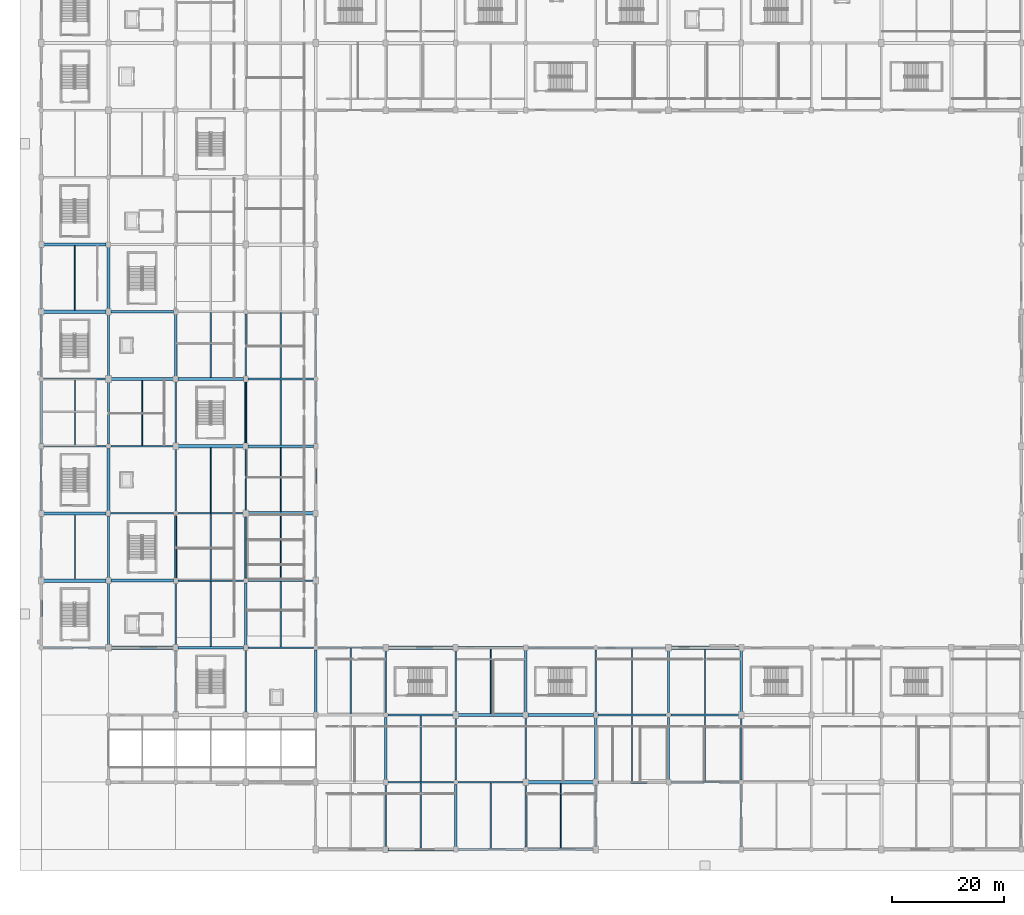
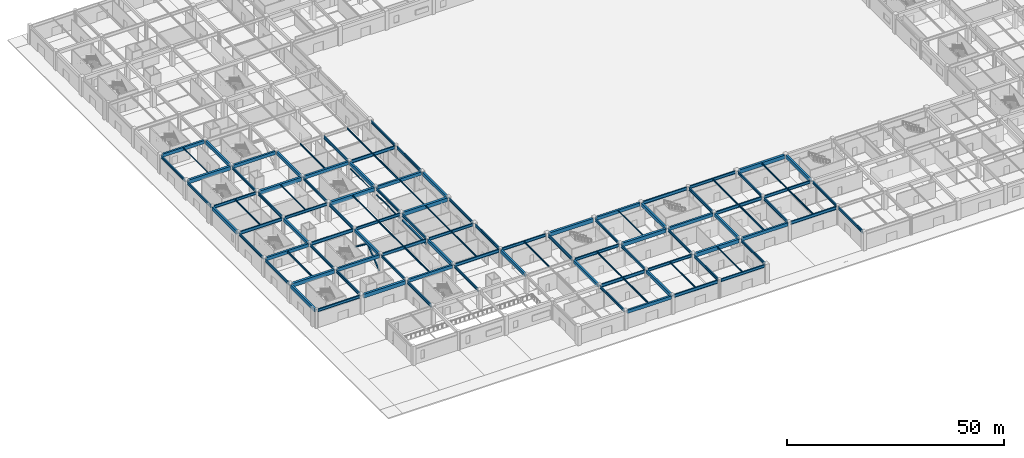
# One storey, part 5 of 69: 115 beams, 2 members.
"""IFC4 building model written with IfcOpenShell, lengths in metres."""

from ifc_helpers import new_model, si_unit, direction, frame, origin, origin_2d, place, context, subcontext, project, spatial, rectangle, i_section, extrude, material, material_profile, profile_set, type_object, element, save


model = new_model("IFC4")

# Units and contexts
model_context = context("Model", 3, precision=1e-05, world=origin(), true_north=direction((0.0, 1.0)))
body_context = subcontext(model_context, "Body", "Model", "MODEL_VIEW")
ifc_project = project(units=[si_unit("LENGTHUNIT", "METRE"), si_unit("AREAUNIT", "SQUARE_METRE"), si_unit("VOLUMEUNIT", "CUBIC_METRE"), si_unit("PLANEANGLEUNIT", "RADIAN"), si_unit("MASSUNIT", "GRAM", prefix="KILO")], contexts=[model_context])

# Site, building, storey
site_placement = place(None, origin())
site = spatial("IfcSite", under=ifc_project, at=site_placement, CompositionType="ELEMENT")
building_placement = place(site_placement, origin())
building = spatial("IfcBuilding", under=site, at=building_placement, Name="Kazenohara Klinker Stadium", CompositionType="ELEMENT")
storey_placement = place(building_placement, origin())
storey = spatial("IfcBuildingStorey", under=building, at=storey_placement, Name="L00", CompositionType="ELEMENT", Elevation=0.0)

# Beams
ifc_material_1 = material(Name="Steel S355", Category="steel")
ifc_material_profile_1 = material_profile(ifc_material_1, i_section(OverallWidth=0.199951171875, OverallDepth=0.5, WebThickness=0.010009765625, FlangeThickness=0.01611328125, FilletRadius=0.012939453125, at=origin_2d()), Name="H-500x200x10x16")
ifc_profile_set_1 = profile_set([ifc_material_profile_1], Name="Steel S355")
beam_type_1 = type_object("IfcBeamType", Name="BM-JST01", PredefinedType="JOIST", material=ifc_profile_set_1)
beam_1_placement = place(storey_placement, frame((6.0, 48.300048828125, 4.889892578125), z_axis=(0.0, 1.0, 0.0), x_axis=(-1.0, 0.0, 0.0)))
element("IfcBeam", 1, at=beam_1_placement, inside=storey, type_object=beam_type_1, Name="Secondary floor joist SJ01 L00 1/E", PredefinedType="JOIST", context=body_context, shape_type="SweptSolid", body=[
    extrude(i_section(OverallWidth=0.199951171875, OverallDepth=0.5, WebThickness=0.010009765625, FlangeThickness=0.01611328125, FilletRadius=0.012939453125, at=origin_2d()), origin(), (0.0, 0.0, 1.0), 11.449951171875),
])
for number, where, z_axis, x_axis, name in (
    (2, (30.25, 84.25, 4.889892578125), (0.0, 1.0, 0.0), (-1.0, 0.0, 0.0), "Secondary floor joist SJ01 L00 3/H"),
    (3, (42.75, 72.25, 4.889892578125), (0.0, 1.0, 0.0), (-1.0, 0.0, 0.0), "Secondary floor joist SJ01 L00 4/G"),
    (4, (105.5, 12.25, 4.889892578125), (0.0, 1.0, 0.0), (-1.0, 0.0, 0.0), "Secondary floor joist SJ01 L00 9/B"),
):
    element("IfcBeam", number, at=place(storey_placement, frame(where, z_axis=z_axis, x_axis=x_axis)), inside=storey, type_object=beam_type_1, Name=name, PredefinedType="JOIST", context=body_context, shape_type="SweptSolid", body=[
        extrude(i_section(OverallWidth=0.199951171875, OverallDepth=0.5, WebThickness=0.010009765625, FlangeThickness=0.01611328125, FilletRadius=0.012939453125, at=origin_2d()), origin(), (0.0, 0.0, 1.0), 11.60009765625),
    ])
ifc_material_profile_2 = material_profile(ifc_material_1, i_section(OverallWidth=0.199951171875, OverallDepth=0.449951171875, WebThickness=0.009033203125, FlangeThickness=0.013916015625, FilletRadius=0.012939453125, at=origin_2d()), Name="H-450x200x9x14")
ifc_profile_set_2 = profile_set([ifc_material_profile_2], Name="Steel S355")
beam_type_2 = type_object("IfcBeamType", Name="BM-JST02", PredefinedType="JOIST", material=ifc_profile_set_2)
beam_2_placement = place(storey_placement, frame((30.25, 36.25, 4.9150390625), z_axis=(0.0, 1.0, 0.0), x_axis=(-1.0, 0.0, 0.0)))
element("IfcBeam", 5, at=beam_2_placement, inside=storey, type_object=beam_type_2, Name="Secondary floor joist SJ02 L00 3/D", PredefinedType="JOIST", context=body_context, shape_type="SweptSolid", body=[
    extrude(i_section(OverallWidth=0.199951171875, OverallDepth=0.449951171875, WebThickness=0.009033203125, FlangeThickness=0.013916015625, FilletRadius=0.012939453125, at=origin_2d()), origin(), (0.0, 0.0, 1.0), 11.60009765625),
])
beam_3_placement = place(storey_placement, frame((42.75, 84.14990234375, 4.9150390625), z_axis=(0.0, 1.0, 0.0), x_axis=(-1.0, 0.0, 0.0)))
element("IfcBeam", 6, at=beam_3_placement, inside=storey, type_object=beam_type_2, Name="Secondary floor joist SJ02 L00 4/H", PredefinedType="JOIST", context=body_context, shape_type="SweptSolid", body=[
    extrude(i_section(OverallWidth=0.199951171875, OverallDepth=0.449951171875, WebThickness=0.009033203125, FlangeThickness=0.013916015625, FilletRadius=0.012939453125, at=origin_2d()), origin(), (0.0, 0.0, 1.0), 11.7001953125),
])
beam_4_placement = place(storey_placement, frame((67.75, 0.25, 4.9150390625), z_axis=(0.0, 1.0, 0.0), x_axis=(-1.0, 0.0, 0.0)))
element("IfcBeam", 7, at=beam_4_placement, inside=storey, type_object=beam_type_2, Name="Secondary floor joist SJ02 L00 6/A", PredefinedType="JOIST", context=body_context, shape_type="SweptSolid", body=[
    extrude(i_section(OverallWidth=0.199951171875, OverallDepth=0.449951171875, WebThickness=0.009033203125, FlangeThickness=0.013916015625, FilletRadius=0.012939453125, at=origin_2d()), origin(), (0.0, 0.0, 1.0), 11.60009765625),
])
for number, where, z_axis, x_axis, name in (
    (8, (105.5, 24.14990234375, 4.9150390625), (0.0, 1.0, 0.0), (-1.0, 0.0, 0.0), "Secondary floor joist SJ02 L00 9/C"),
    (9, (118.5, 12.14990234375, 4.9150390625), (0.0, 1.0, 0.0), (-1.0, 0.0, 0.0), "Secondary floor joist SJ02 L00 10/B"),
):
    element("IfcBeam", number, at=place(storey_placement, frame(where, z_axis=z_axis, x_axis=x_axis)), inside=storey, type_object=beam_type_2, Name=name, PredefinedType="JOIST", context=body_context, shape_type="SweptSolid", body=[
        extrude(i_section(OverallWidth=0.199951171875, OverallDepth=0.449951171875, WebThickness=0.009033203125, FlangeThickness=0.013916015625, FilletRadius=0.012939453125, at=origin_2d()), origin(), (0.0, 0.0, 1.0), 11.7001953125),
    ])
ifc_material_profile_3 = material_profile(ifc_material_1, i_section(OverallWidth=0.199951171875, OverallDepth=0.39990234375, WebThickness=0.008056640625, FlangeThickness=0.012939453125, FilletRadius=0.012939453125, at=origin_2d()), Name="H-400x200x8x13")
ifc_profile_set_3 = profile_set([ifc_material_profile_3], Name="Steel S355")
beam_type_3 = type_object("IfcBeamType", Name="BM-JST03", PredefinedType="JOIST", material=ifc_profile_set_3)
for number, where, z_axis, x_axis, name in (
    (10, (6.0, 72.14990234375, 4.93994140625), (0.0, 1.0, 0.0), (-1.0, 0.0, 0.0), "Secondary floor joist SJ03 L00 1/G"),
    (11, (30.25, 48.14990234375, 4.93994140625), (0.0, 1.0, 0.0), (-1.0, 0.0, 0.0), "Secondary floor joist SJ03 L00 3/E"),
    (12, (42.75, 36.14990234375, 4.93994140625), (0.0, 1.0, 0.0), (-1.0, 0.0, 0.0), "Secondary floor joist SJ03 L00 4/D"),
    (13, (55.25, 24.14990234375, 4.93994140625), (0.0, 1.0, 0.0), (-1.0, 0.0, 0.0), "Secondary floor joist SJ03 L00 5/C"),
    (14, (67.75, 12.14990234375, 4.93994140625), (0.0, 1.0, 0.0), (-1.0, 0.0, 0.0), "Secondary floor joist SJ03 L00 6/B"),
    (15, (80.25, 0.14990234375, 4.93994140625), (0.0, 1.0, 0.0), (-1.0, 0.0, 0.0), "Secondary floor joist SJ03 L00 7/A"),
):
    element("IfcBeam", number, at=place(storey_placement, frame(where, z_axis=z_axis, x_axis=x_axis)), inside=storey, type_object=beam_type_3, Name=name, PredefinedType="JOIST", context=body_context, shape_type="SweptSolid", body=[
        extrude(i_section(OverallWidth=0.199951171875, OverallDepth=0.39990234375, WebThickness=0.008056640625, FlangeThickness=0.012939453125, FilletRadius=0.012939453125, at=origin_2d()), origin(), (0.0, 0.0, 1.0), 11.7001953125),
    ])
beam_5_placement = place(storey_placement, frame((118.5, 24.14990234375, 4.93994140625), z_axis=(0.0, 1.0, 0.0), x_axis=(-1.0, 0.0, 0.0)))
element("IfcBeam", 16, at=beam_5_placement, inside=storey, type_object=beam_type_3, Name="Secondary floor joist SJ03 L00 10/C", PredefinedType="JOIST", context=body_context, shape_type="SweptSolid", body=[
    extrude(i_section(OverallWidth=0.199951171875, OverallDepth=0.39990234375, WebThickness=0.008056640625, FlangeThickness=0.012939453125, FilletRadius=0.012939453125, at=origin_2d()), origin(), (0.0, 0.0, 1.0), 11.550048828125),
])
ifc_material_profile_4 = material_profile(ifc_material_1, i_section(OverallWidth=0.175048828125, OverallDepth=0.35009765625, WebThickness=0.007080078125, FlangeThickness=0.010986328125, FilletRadius=0.012939453125, at=origin_2d()), Name="H-350x175x7x11")
ifc_profile_set_4 = profile_set([ifc_material_profile_4], Name="Steel S355")
beam_type_4 = type_object("IfcBeamType", Name="BM-JST04", PredefinedType="JOIST", material=ifc_profile_set_4)
for number, where, z_axis, x_axis, name in (
    (17, (18.0, 72.14990234375, 4.965087890625), (0.0, 1.0, 0.0), (-1.0, 0.0, 0.0), "Secondary floor joist SJ04 L00 2/G"),
    (18, (30.25, 60.14990234375, 4.965087890625), (0.0, 1.0, 0.0), (-1.0, 0.0, 0.0), "Secondary floor joist SJ04 L00 3/F"),
    (19, (42.75, 48.14990234375, 4.965087890625), (0.0, 1.0, 0.0), (-1.0, 0.0, 0.0), "Secondary floor joist SJ04 L00 4/E"),
    (20, (92.75, 0.14990234375, 4.965087890625), (0.0, 1.0, 0.0), (-1.0, 0.0, 0.0), "Secondary floor joist SJ04 L00 8/A"),
):
    element("IfcBeam", number, at=place(storey_placement, frame(where, z_axis=z_axis, x_axis=x_axis)), inside=storey, type_object=beam_type_4, Name=name, PredefinedType="JOIST", context=body_context, shape_type="SweptSolid", body=[
        extrude(i_section(OverallWidth=0.175048828125, OverallDepth=0.35009765625, WebThickness=0.007080078125, FlangeThickness=0.010986328125, FilletRadius=0.012939453125, at=origin_2d()), origin(), (0.0, 0.0, 1.0), 11.550048828125),
    ])
ifc_material_profile_5 = material_profile(ifc_material_1, i_section(OverallWidth=0.14990234375, OverallDepth=0.300048828125, WebThickness=0.006591796875, FlangeThickness=0.009033203125, FilletRadius=0.012939453125, at=origin_2d()), Name="H-300x150x6.5x9")
ifc_profile_set_5 = profile_set([ifc_material_profile_5], Name="Steel S355")
beam_type_5 = type_object("IfcBeamType", Name="BM-JST05", PredefinedType="JOIST", material=ifc_profile_set_5)
for number, where, z_axis, x_axis, name in (
    (21, (6.0, 96.300048828125, 4.989990234375), (0.0, 1.0, 0.0), (-1.0, 0.0, 0.0), "Secondary floor joist SJ05 L00 1/J"),
    (22, (42.75, 60.300048828125, 4.989990234375), (0.0, 1.0, 0.0), (-1.0, 0.0, 0.0), "Secondary floor joist SJ05 L00 4/F"),
    (23, (80.25, 24.300048828125, 4.989990234375), (0.0, 1.0, 0.0), (-1.0, 0.0, 0.0), "Secondary floor joist SJ05 L00 7/C"),
):
    element("IfcBeam", number, at=place(storey_placement, frame(where, z_axis=z_axis, x_axis=x_axis)), inside=storey, type_object=beam_type_5, Name=name, PredefinedType="JOIST", context=body_context, shape_type="SweptSolid", body=[
        extrude(i_section(OverallWidth=0.14990234375, OverallDepth=0.300048828125, WebThickness=0.006591796875, FlangeThickness=0.009033203125, FilletRadius=0.012939453125, at=origin_2d()), origin(), (0.0, 0.0, 1.0), 11.449951171875),
    ])
ifc_material_2 = material(Name="Concrete C40/50", Category="concrete")
ifc_material_profile_6 = material_profile(ifc_material_2, rectangle(XDim=0.35009765625, YDim=0.449951171875, at=origin_2d()), Name="RC-LINTEL-350x450")
ifc_profile_set_6 = profile_set([ifc_material_profile_6], Name="Concrete C40/50")
beam_type_6 = type_object("IfcBeamType", Name="BM-LIN01", PredefinedType="LINTEL", material=ifc_profile_set_6)
beam_6_placement = place(storey_placement, frame((36.5, 48.425048828125, 3.27490234375), z_axis=(0.0, 1.0, 0.0), x_axis=(-1.0, 0.0, 0.0)))
element("IfcBeam", 24, at=beam_6_placement, inside=storey, type_object=beam_type_6, Name="Concourse portal lintel LN01 L00-01", PredefinedType="LINTEL", context=body_context, shape_type="SweptSolid", body=[
    extrude(rectangle(XDim=0.35009765625, YDim=0.449951171875, at=origin_2d()), origin(), (0.0, 0.0, 1.0), 10.974853515625),
])
ifc_material_profile_7 = material_profile(ifc_material_1, i_section(OverallWidth=0.125, OverallDepth=0.25, WebThickness=0.006103515625, FlangeThickness=0.009033203125, FilletRadius=0.008056640625, at=origin_2d()), Name="H-250x125x6x9")
ifc_profile_set_7 = profile_set([ifc_material_profile_7], Name="Steel S355")
beam_type_7 = type_object("IfcBeamType", Name="BM-LIN02", PredefinedType="LINTEL", material=ifc_profile_set_7)
beam_7_placement = place(storey_placement, frame((36.5, 60.60009765625, 3.175048828125), z_axis=(0.0, 1.0, 0.0), x_axis=(-1.0, 0.0, 0.0)))
element("IfcBeam", 25, at=beam_7_placement, inside=storey, type_object=beam_type_7, Name="Concourse portal lintel LN02 L00-02", PredefinedType="LINTEL", context=body_context, shape_type="SweptSolid", body=[
    extrude(i_section(OverallWidth=0.125, OverallDepth=0.25, WebThickness=0.006103515625, FlangeThickness=0.009033203125, FilletRadius=0.008056640625, at=origin_2d()), origin(), (0.0, 0.0, 1.0), 10.849853515625),
])
ifc_material_profile_8 = material_profile(ifc_material_1, i_section(OverallWidth=0.10009765625, OverallDepth=0.199951171875, WebThickness=0.005615234375, FlangeThickness=0.008056640625, FilletRadius=0.008056640625, at=origin_2d()), Name="H-200x100x5.5x8")
ifc_profile_set_8 = profile_set([ifc_material_profile_8], Name="Steel S355")
beam_type_8 = type_object("IfcBeamType", Name="BM-LIN03", PredefinedType="LINTEL", material=ifc_profile_set_8)
beam_8_placement = place(storey_placement, frame((36.5, 72.550048828125, 3.14990234375), z_axis=(0.0, 1.0, 0.0), x_axis=(-1.0, 0.0, 0.0)))
element("IfcBeam", 26, at=beam_8_placement, inside=storey, type_object=beam_type_8, Name="Concourse portal lintel LN03 L00-03", PredefinedType="LINTEL", context=body_context, shape_type="SweptSolid", body=[
    extrude(i_section(OverallWidth=0.10009765625, OverallDepth=0.199951171875, WebThickness=0.005615234375, FlangeThickness=0.008056640625, FilletRadius=0.008056640625, at=origin_2d()), origin(), (0.0, 0.0, 1.0), 10.949951171875),
])
ifc_material_profile_9 = material_profile(ifc_material_2, rectangle(XDim=0.60009765625, YDim=1.050048828125, at=origin_2d()), Name="RC-BM-600x1050")
ifc_profile_set_9 = profile_set([ifc_material_profile_9], Name="Concrete C40/50")
beam_type_9 = type_object("IfcBeamType", Name="BM-RC01", PredefinedType="BEAM", material=ifc_profile_set_9)
for number, where, z_axis, x_axis, name in (
    (27, (0.419921875, 48.0, 4.614990234375), (1.0, 0.0, 0.0), (0.0, 1.0, 0.0), "Primary girder BG01 L00 1-2/E"),
    (28, (0.419921875, 96.0, 4.614990234375), (1.0, 0.0, 0.0), (0.0, 1.0, 0.0), "Primary girder BG01 L00 1-2/J"),
    (29, (12.419921875, 36.0, 4.614990234375), (1.0, 0.0, 0.0), (0.0, 1.0, 0.0), "Primary girder BG01 L00 2-3/D"),
    (30, (12.419921875, 84.0, 4.614990234375), (1.0, 0.0, 0.0), (0.0, 1.0, 0.0), "Primary girder BG01 L00 2-3/H"),
):
    element("IfcBeam", number, at=place(storey_placement, frame(where, z_axis=z_axis, x_axis=x_axis)), inside=storey, type_object=beam_type_9, Name=name, PredefinedType="BEAM", context=body_context, shape_type="SweptSolid", body=[
        extrude(rectangle(XDim=0.60009765625, YDim=1.050048828125, at=origin_2d()), origin(), (0.0, 0.0, 1.0), 11.16015625),
    ])
for number, where, z_axis, x_axis, name in (
    (31, (24.419921875, 72.0, 4.614990234375), (1.0, 0.0, 0.0), (0.0, 1.0, 0.0), "Primary girder BG01 L00 3-4/G"),
    (32, (36.919921875, 60.0, 4.614990234375), (1.0, 0.0, 0.0), (0.0, 1.0, 0.0), "Primary girder BG01 L00 4-5/F"),
    (33, (61.919921875, 36.0, 4.614990234375), (1.0, 0.0, 0.0), (0.0, 1.0, 0.0), "Primary girder BG01 L00 6-7/D"),
    (34, (74.419921875, 24.0, 4.614990234375), (1.0, 0.0, 0.0), (0.0, 1.0, 0.0), "Primary girder BG01 L00 7-8/C"),
    (35, (86.919921875, 12.0, 4.614990234375), (1.0, 0.0, 0.0), (0.0, 1.0, 0.0), "Primary girder BG01 L00 8-9/B"),
):
    element("IfcBeam", number, at=place(storey_placement, frame(where, z_axis=z_axis, x_axis=x_axis)), inside=storey, type_object=beam_type_9, Name=name, PredefinedType="BEAM", context=body_context, shape_type="SweptSolid", body=[
        extrude(rectangle(XDim=0.60009765625, YDim=1.050048828125, at=origin_2d()), origin(), (0.0, 0.0, 1.0), 11.66015625),
    ])
beam_9_placement = place(storey_placement, frame((112.419921875, 36.0, 4.614990234375), z_axis=(1.0, 0.0, 0.0), x_axis=(0.0, 1.0, 0.0)))
element("IfcBeam", 36, at=beam_9_placement, inside=storey, type_object=beam_type_9, Name="Primary girder BG01 L00 10-11/D", PredefinedType="BEAM", context=body_context, shape_type="SweptSolid", body=[
    extrude(rectangle(XDim=0.60009765625, YDim=1.050048828125, at=origin_2d()), origin(), (0.0, 0.0, 1.0), 12.16015625),
])
ifc_material_profile_10 = material_profile(ifc_material_2, rectangle(XDim=0.5, YDim=0.89990234375, at=origin_2d()), Name="RC-BM-500x900")
ifc_profile_set_10 = profile_set([ifc_material_profile_10], Name="Concrete C40/50")
beam_type_10 = type_object("IfcBeamType", Name="BM-RC02", PredefinedType="BEAM", material=ifc_profile_set_10)
for number, where, z_axis, x_axis, name in (
    (37, (0.419921875, 60.0, 4.68994140625), (1.0, 0.0, 0.0), (0.0, 1.0, 0.0), "Primary girder BG02 L00 1-2/F"),
    (38, (0.419921875, 108.0, 4.68994140625), (1.0, 0.0, 0.0), (0.0, 1.0, 0.0), "Primary girder BG02 L00 1-2/K"),
    (39, (12.419921875, 48.0, 4.68994140625), (1.0, 0.0, 0.0), (0.0, 1.0, 0.0), "Primary girder BG02 L00 2-3/E"),
    (40, (12.419921875, 96.0, 4.68994140625), (1.0, 0.0, 0.0), (0.0, 1.0, 0.0), "Primary girder BG02 L00 2-3/J"),
):
    element("IfcBeam", number, at=place(storey_placement, frame(where, z_axis=z_axis, x_axis=x_axis)), inside=storey, type_object=beam_type_10, Name=name, PredefinedType="BEAM", context=body_context, shape_type="SweptSolid", body=[
        extrude(rectangle(XDim=0.5, YDim=0.89990234375, at=origin_2d()), origin(), (0.0, 0.0, 1.0), 11.18017578125),
    ])
for number, where, z_axis, x_axis, name in (
    (41, (24.419921875, 36.0, 4.68994140625), (1.0, 0.0, 0.0), (0.0, 1.0, 0.0), "Primary girder BG02 L00 3-4/D"),
    (42, (24.419921875, 84.0, 4.68994140625), (1.0, 0.0, 0.0), (0.0, 1.0, 0.0), "Primary girder BG02 L00 3-4/H"),
    (43, (36.919921875, 72.0, 4.68994140625), (1.0, 0.0, 0.0), (0.0, 1.0, 0.0), "Primary girder BG02 L00 4-5/G"),
    (44, (61.919921875, 0.0, 4.68994140625), (1.0, 0.0, 0.0), (0.0, 1.0, 0.0), "Primary girder BG02 L00 6-7/A"),
    (45, (74.419921875, 36.0, 4.68994140625), (1.0, 0.0, 0.0), (0.0, 1.0, 0.0), "Primary girder BG02 L00 7-8/D"),
    (46, (86.919921875, 24.0, 4.68994140625), (1.0, 0.0, 0.0), (0.0, 1.0, 0.0), "Primary girder BG02 L00 8-9/C"),
):
    element("IfcBeam", number, at=place(storey_placement, frame(where, z_axis=z_axis, x_axis=x_axis)), inside=storey, type_object=beam_type_10, Name=name, PredefinedType="BEAM", context=body_context, shape_type="SweptSolid", body=[
        extrude(rectangle(XDim=0.5, YDim=0.89990234375, at=origin_2d()), origin(), (0.0, 0.0, 1.0), 11.68017578125),
    ])
beam_10_placement = place(storey_placement, frame((99.419921875, 12.0, 4.68994140625), z_axis=(1.0, 0.0, 0.0), x_axis=(0.0, 1.0, 0.0)))
element("IfcBeam", 47, at=beam_10_placement, inside=storey, type_object=beam_type_10, Name="Primary girder BG02 L00 9-10/B", PredefinedType="BEAM", context=body_context, shape_type="SweptSolid", body=[
    extrude(rectangle(XDim=0.5, YDim=0.89990234375, at=origin_2d()), origin(), (0.0, 0.0, 1.0), 12.18017578125),
])
for number, where, z_axis, x_axis, name in (
    (48, (0.0, 36.419921875, 4.68994140625), (0.0, 1.0, 0.0), (-1.0, 0.0, 0.0), "Primary girder BG02 L00 1/D-E"),
    (49, (0.0, 72.419921875, 4.68994140625), (0.0, 1.0, 0.0), (-1.0, 0.0, 0.0), "Primary girder BG02 L00 1/G-H"),
    (50, (12.0, 60.419921875, 4.68994140625), (0.0, 1.0, 0.0), (-1.0, 0.0, 0.0), "Primary girder BG02 L00 2/F-G"),
    (51, (12.0, 96.419921875, 4.68994140625), (0.0, 1.0, 0.0), (-1.0, 0.0, 0.0), "Primary girder BG02 L00 2/J-K"),
    (52, (24.0, 48.419921875, 4.68994140625), (0.0, 1.0, 0.0), (-1.0, 0.0, 0.0), "Primary girder BG02 L00 3/E-F"),
    (53, (24.0, 84.419921875, 4.68994140625), (0.0, 1.0, 0.0), (-1.0, 0.0, 0.0), "Primary girder BG02 L00 3/H-J"),
    (54, (36.5, 36.419921875, 4.68994140625), (0.0, 1.0, 0.0), (-1.0, 0.0, 0.0), "Primary girder BG02 L00 4/D-E"),
    (55, (36.5, 72.419921875, 4.68994140625), (0.0, 1.0, 0.0), (-1.0, 0.0, 0.0), "Primary girder BG02 L00 4/G-H"),
    (56, (49.0, 24.419921875, 4.68994140625), (0.0, 1.0, 0.0), (-1.0, 0.0, 0.0), "Primary girder BG02 L00 5/C-D"),
    (57, (49.0, 60.419921875, 4.68994140625), (0.0, 1.0, 0.0), (-1.0, 0.0, 0.0), "Primary girder BG02 L00 5/F-G"),
    (58, (61.5, 12.419921875, 4.68994140625), (0.0, 1.0, 0.0), (-1.0, 0.0, 0.0), "Primary girder BG02 L00 6/B-C"),
    (59, (74.0, 0.419921875, 4.68994140625), (0.0, 1.0, 0.0), (-1.0, 0.0, 0.0), "Primary girder BG02 L00 7/A-B"),
    (60, (86.5, 24.419921875, 4.68994140625), (0.0, 1.0, 0.0), (-1.0, 0.0, 0.0), "Primary girder BG02 L00 8/C-D"),
    (61, (99.0, 12.419921875, 4.68994140625), (0.0, 1.0, 0.0), (-1.0, 0.0, 0.0), "Primary girder BG02 L00 9/B-C"),
    (62, (125.0, 24.419921875, 4.68994140625), (0.0, 1.0, 0.0), (-1.0, 0.0, 0.0), "Primary girder BG02 L00 11/C-D"),
):
    element("IfcBeam", number, at=place(storey_placement, frame(where, z_axis=z_axis, x_axis=x_axis)), inside=storey, type_object=beam_type_10, Name=name, PredefinedType="BEAM", context=body_context, shape_type="SweptSolid", body=[
        extrude(rectangle(XDim=0.5, YDim=0.89990234375, at=origin_2d()), origin(), (0.0, 0.0, 1.0), 11.16015625),
    ])
ifc_material_profile_11 = material_profile(ifc_material_1, i_section(OverallWidth=0.300048828125, OverallDepth=0.89990234375, WebThickness=0.01611328125, FlangeThickness=0.028076171875, FilletRadius=0.02197265625, at=origin_2d()), Name="H-900x300x16x28")
ifc_profile_set_11 = profile_set([ifc_material_profile_11], Name="Steel S355")
beam_type_11 = type_object("IfcBeamType", Name="BM-ST01", PredefinedType="BEAM", material=ifc_profile_set_11)
for number, where, z_axis, x_axis, name in (
    (63, (0.39990234375, 72.0, 4.68994140625), (1.0, 0.0, 0.0), (0.0, 1.0, 0.0), "Primary girder SB01 L00 1-2/G"),
    (64, (12.39990234375, 60.0, 4.68994140625), (1.0, 0.0, 0.0), (0.0, 1.0, 0.0), "Primary girder SB01 L00 2-3/F"),
):
    element("IfcBeam", number, at=place(storey_placement, frame(where, z_axis=z_axis, x_axis=x_axis)), inside=storey, type_object=beam_type_11, Name=name, PredefinedType="BEAM", context=body_context, shape_type="SweptSolid", body=[
        extrude(i_section(OverallWidth=0.300048828125, OverallDepth=0.89990234375, WebThickness=0.01611328125, FlangeThickness=0.028076171875, FilletRadius=0.02197265625, at=origin_2d()), origin(), (0.0, 0.0, 1.0), 11.18017578125),
    ])
for number, where, z_axis, x_axis, name in (
    (65, (24.39990234375, 48.0, 4.68994140625), (1.0, 0.0, 0.0), (0.0, 1.0, 0.0), "Primary girder SB01 L00 3-4/E"),
    (66, (36.89990234375, 36.0, 4.68994140625), (1.0, 0.0, 0.0), (0.0, 1.0, 0.0), "Primary girder SB01 L00 4-5/D"),
    (67, (36.89990234375, 84.0, 4.68994140625), (1.0, 0.0, 0.0), (0.0, 1.0, 0.0), "Primary girder SB01 L00 4-5/H"),
    (68, (61.89990234375, 12.0, 4.68994140625), (1.0, 0.0, 0.0), (0.0, 1.0, 0.0), "Primary girder SB01 L00 6-7/B"),
    (69, (74.39990234375, 0.0, 4.68994140625), (1.0, 0.0, 0.0), (0.0, 1.0, 0.0), "Primary girder SB01 L00 7-8/A"),
    (70, (86.89990234375, 36.0, 4.68994140625), (1.0, 0.0, 0.0), (0.0, 1.0, 0.0), "Primary girder SB01 L00 8-9/D"),
):
    element("IfcBeam", number, at=place(storey_placement, frame(where, z_axis=z_axis, x_axis=x_axis)), inside=storey, type_object=beam_type_11, Name=name, PredefinedType="BEAM", context=body_context, shape_type="SweptSolid", body=[
        extrude(i_section(OverallWidth=0.300048828125, OverallDepth=0.89990234375, WebThickness=0.01611328125, FlangeThickness=0.028076171875, FilletRadius=0.02197265625, at=origin_2d()), origin(), (0.0, 0.0, 1.0), 11.68017578125),
    ])
for number, where, z_axis, x_axis, name in (
    (71, (99.39990234375, 24.0, 4.68994140625), (1.0, 0.0, 0.0), (0.0, 1.0, 0.0), "Primary girder SB01 L00 9-10/C"),
    (72, (112.39990234375, 12.0, 4.68994140625), (1.0, 0.0, 0.0), (0.0, 1.0, 0.0), "Primary girder SB01 L00 10-11/B"),
):
    element("IfcBeam", number, at=place(storey_placement, frame(where, z_axis=z_axis, x_axis=x_axis)), inside=storey, type_object=beam_type_11, Name=name, PredefinedType="BEAM", context=body_context, shape_type="SweptSolid", body=[
        extrude(i_section(OverallWidth=0.300048828125, OverallDepth=0.89990234375, WebThickness=0.01611328125, FlangeThickness=0.028076171875, FilletRadius=0.02197265625, at=origin_2d()), origin(), (0.0, 0.0, 1.0), 12.18017578125),
    ])
ifc_material_profile_12 = material_profile(ifc_material_1, i_section(OverallWidth=0.300048828125, OverallDepth=0.800048828125, WebThickness=0.013916015625, FlangeThickness=0.02587890625, FilletRadius=0.02197265625, at=origin_2d()), Name="H-800x300x14x26")
ifc_profile_set_12 = profile_set([ifc_material_profile_12], Name="Steel S355")
beam_type_12 = type_object("IfcBeamType", Name="BM-ST02", PredefinedType="BEAM", material=ifc_profile_set_12)
for number, where, z_axis, x_axis, name in (
    (73, (0.419921875, 36.0, 4.739990234375), (1.0, 0.0, 0.0), (0.0, 1.0, 0.0), "Primary girder SB02 L00 1-2/D"),
    (74, (0.419921875, 84.0, 4.739990234375), (1.0, 0.0, 0.0), (0.0, 1.0, 0.0), "Primary girder SB02 L00 1-2/H"),
    (75, (12.419921875, 72.0, 4.739990234375), (1.0, 0.0, 0.0), (0.0, 1.0, 0.0), "Primary girder SB02 L00 2-3/G"),
):
    element("IfcBeam", number, at=place(storey_placement, frame(where, z_axis=z_axis, x_axis=x_axis)), inside=storey, type_object=beam_type_12, Name=name, PredefinedType="BEAM", context=body_context, shape_type="SweptSolid", body=[
        extrude(i_section(OverallWidth=0.300048828125, OverallDepth=0.800048828125, WebThickness=0.013916015625, FlangeThickness=0.02587890625, FilletRadius=0.02197265625, at=origin_2d()), origin(), (0.0, 0.0, 1.0), 11.16015625),
    ])
for number, where, z_axis, x_axis, name in (
    (76, (24.419921875, 60.0, 4.739990234375), (1.0, 0.0, 0.0), (0.0, 1.0, 0.0), "Primary girder SB02 L00 3-4/F"),
    (77, (36.919921875, 48.0, 4.739990234375), (1.0, 0.0, 0.0), (0.0, 1.0, 0.0), "Primary girder SB02 L00 4-5/E"),
    (78, (49.419921875, 36.0, 4.739990234375), (1.0, 0.0, 0.0), (0.0, 1.0, 0.0), "Primary girder SB02 L00 5-6/D"),
    (79, (61.919921875, 24.0, 4.739990234375), (1.0, 0.0, 0.0), (0.0, 1.0, 0.0), "Primary girder SB02 L00 6-7/C"),
    (80, (74.419921875, 12.0, 4.739990234375), (1.0, 0.0, 0.0), (0.0, 1.0, 0.0), "Primary girder SB02 L00 7-8/B"),
    (81, (86.919921875, 0.0, 4.739990234375), (1.0, 0.0, 0.0), (0.0, 1.0, 0.0), "Primary girder SB02 L00 8-9/A"),
):
    element("IfcBeam", number, at=place(storey_placement, frame(where, z_axis=z_axis, x_axis=x_axis)), inside=storey, type_object=beam_type_12, Name=name, PredefinedType="BEAM", context=body_context, shape_type="SweptSolid", body=[
        extrude(i_section(OverallWidth=0.300048828125, OverallDepth=0.800048828125, WebThickness=0.013916015625, FlangeThickness=0.02587890625, FilletRadius=0.02197265625, at=origin_2d()), origin(), (0.0, 0.0, 1.0), 11.66015625),
    ])
for number, where, z_axis, x_axis, name in (
    (82, (99.419921875, 36.0, 4.739990234375), (1.0, 0.0, 0.0), (0.0, 1.0, 0.0), "Primary girder SB02 L00 9-10/D"),
    (83, (112.419921875, 24.0, 4.739990234375), (1.0, 0.0, 0.0), (0.0, 1.0, 0.0), "Primary girder SB02 L00 10-11/C"),
):
    element("IfcBeam", number, at=place(storey_placement, frame(where, z_axis=z_axis, x_axis=x_axis)), inside=storey, type_object=beam_type_12, Name=name, PredefinedType="BEAM", context=body_context, shape_type="SweptSolid", body=[
        extrude(i_section(OverallWidth=0.300048828125, OverallDepth=0.800048828125, WebThickness=0.013916015625, FlangeThickness=0.02587890625, FilletRadius=0.02197265625, at=origin_2d()), origin(), (0.0, 0.0, 1.0), 12.16015625),
    ])
for number, where, z_axis, x_axis, name in (
    (84, (0.0, 48.419921875, 4.739990234375), (0.0, 1.0, 0.0), (-1.0, 0.0, 0.0), "Primary girder SB02 L00 1/E-F"),
    (85, (0.0, 84.419921875, 4.739990234375), (0.0, 1.0, 0.0), (-1.0, 0.0, 0.0), "Primary girder SB02 L00 1/H-J"),
    (86, (12.0, 36.419921875, 4.739990234375), (0.0, 1.0, 0.0), (-1.0, 0.0, 0.0), "Primary girder SB02 L00 2/D-E"),
    (87, (12.0, 72.419921875, 4.739990234375), (0.0, 1.0, 0.0), (-1.0, 0.0, 0.0), "Primary girder SB02 L00 2/G-H"),
    (88, (24.0, 24.419921875, 4.739990234375), (0.0, 1.0, 0.0), (-1.0, 0.0, 0.0), "Primary girder SB02 L00 3/C-D"),
    (89, (24.0, 60.419921875, 4.739990234375), (0.0, 1.0, 0.0), (-1.0, 0.0, 0.0), "Primary girder SB02 L00 3/F-G"),
    (90, (36.5, 48.419921875, 4.739990234375), (0.0, 1.0, 0.0), (-1.0, 0.0, 0.0), "Primary girder SB02 L00 4/E-F"),
    (91, (36.5, 84.419921875, 4.739990234375), (0.0, 1.0, 0.0), (-1.0, 0.0, 0.0), "Primary girder SB02 L00 4/H-J"),
    (92, (49.0, 36.419921875, 4.739990234375), (0.0, 1.0, 0.0), (-1.0, 0.0, 0.0), "Primary girder SB02 L00 5/D-E"),
    (93, (49.0, 72.419921875, 4.739990234375), (0.0, 1.0, 0.0), (-1.0, 0.0, 0.0), "Primary girder SB02 L00 5/G-H"),
    (94, (61.5, 24.419921875, 4.739990234375), (0.0, 1.0, 0.0), (-1.0, 0.0, 0.0), "Primary girder SB02 L00 6/C-D"),
    (95, (74.0, 12.419921875, 4.739990234375), (0.0, 1.0, 0.0), (-1.0, 0.0, 0.0), "Primary girder SB02 L00 7/B-C"),
    (96, (86.5, 0.419921875, 4.739990234375), (0.0, 1.0, 0.0), (-1.0, 0.0, 0.0), "Primary girder SB02 L00 8/A-B"),
    (97, (99.0, 24.419921875, 4.739990234375), (0.0, 1.0, 0.0), (-1.0, 0.0, 0.0), "Primary girder SB02 L00 9/C-D"),
    (98, (112.0, 12.419921875, 4.739990234375), (0.0, 1.0, 0.0), (-1.0, 0.0, 0.0), "Primary girder SB02 L00 10/B-C"),
    (99, (125.0, 0.419921875, 4.739990234375), (0.0, 1.0, 0.0), (-1.0, 0.0, 0.0), "Primary girder SB02 L00 11/A-B"),
):
    element("IfcBeam", number, at=place(storey_placement, frame(where, z_axis=z_axis, x_axis=x_axis)), inside=storey, type_object=beam_type_12, Name=name, PredefinedType="BEAM", context=body_context, shape_type="SweptSolid", body=[
        extrude(i_section(OverallWidth=0.300048828125, OverallDepth=0.800048828125, WebThickness=0.013916015625, FlangeThickness=0.02587890625, FilletRadius=0.02197265625, at=origin_2d()), origin(), (0.0, 0.0, 1.0), 11.16015625),
    ])
ifc_material_profile_13 = material_profile(ifc_material_1, i_section(OverallWidth=0.300048828125, OverallDepth=0.699951171875, WebThickness=0.012939453125, FlangeThickness=0.02392578125, FilletRadius=0.02197265625, at=origin_2d()), Name="H-700x300x13x24")
ifc_profile_set_13 = profile_set([ifc_material_profile_13], Name="Steel S355")
beam_type_13 = type_object("IfcBeamType", Name="BM-ST03", PredefinedType="BEAM", material=ifc_profile_set_13)
for number, where, z_axis, x_axis, name in (
    (100, (0.0, 60.419921875, 4.7900390625), (0.0, 1.0, 0.0), (-1.0, 0.0, 0.0), "Primary girder SB03 L00 1/F-G"),
    (101, (0.0, 96.419921875, 4.7900390625), (0.0, 1.0, 0.0), (-1.0, 0.0, 0.0), "Primary girder SB03 L00 1/J-K"),
    (102, (12.0, 48.419921875, 4.7900390625), (0.0, 1.0, 0.0), (-1.0, 0.0, 0.0), "Primary girder SB03 L00 2/E-F"),
    (103, (12.0, 84.419921875, 4.7900390625), (0.0, 1.0, 0.0), (-1.0, 0.0, 0.0), "Primary girder SB03 L00 2/H-J"),
    (104, (24.0, 36.419921875, 4.7900390625), (0.0, 1.0, 0.0), (-1.0, 0.0, 0.0), "Primary girder SB03 L00 3/D-E"),
    (105, (24.0, 72.419921875, 4.7900390625), (0.0, 1.0, 0.0), (-1.0, 0.0, 0.0), "Primary girder SB03 L00 3/G-H"),
    (106, (36.5, 24.419921875, 4.7900390625), (0.0, 1.0, 0.0), (-1.0, 0.0, 0.0), "Primary girder SB03 L00 4/C-D"),
    (107, (36.5, 60.419921875, 4.7900390625), (0.0, 1.0, 0.0), (-1.0, 0.0, 0.0), "Primary girder SB03 L00 4/F-G"),
    (108, (49.0, 48.419921875, 4.7900390625), (0.0, 1.0, 0.0), (-1.0, 0.0, 0.0), "Primary girder SB03 L00 5/E-F"),
    (109, (49.0, 84.419921875, 4.7900390625), (0.0, 1.0, 0.0), (-1.0, 0.0, 0.0), "Primary girder SB03 L00 5/H-J"),
    (110, (61.5, 0.419921875, 4.7900390625), (0.0, 1.0, 0.0), (-1.0, 0.0, 0.0), "Primary girder SB03 L00 6/A-B"),
    (111, (74.0, 24.419921875, 4.7900390625), (0.0, 1.0, 0.0), (-1.0, 0.0, 0.0), "Primary girder SB03 L00 7/C-D"),
    (112, (86.5, 12.419921875, 4.7900390625), (0.0, 1.0, 0.0), (-1.0, 0.0, 0.0), "Primary girder SB03 L00 8/B-C"),
    (113, (99.0, 0.419921875, 4.7900390625), (0.0, 1.0, 0.0), (-1.0, 0.0, 0.0), "Primary girder SB03 L00 9/A-B"),
    (114, (112.0, 24.419921875, 4.7900390625), (0.0, 1.0, 0.0), (-1.0, 0.0, 0.0), "Primary girder SB03 L00 10/C-D"),
    (115, (125.0, 12.419921875, 4.7900390625), (0.0, 1.0, 0.0), (-1.0, 0.0, 0.0), "Primary girder SB03 L00 11/B-C"),
):
    element("IfcBeam", number, at=place(storey_placement, frame(where, z_axis=z_axis, x_axis=x_axis)), inside=storey, type_object=beam_type_13, Name=name, PredefinedType="BEAM", context=body_context, shape_type="SweptSolid", body=[
        extrude(i_section(OverallWidth=0.300048828125, OverallDepth=0.699951171875, WebThickness=0.012939453125, FlangeThickness=0.02392578125, FilletRadius=0.02197265625, at=origin_2d()), origin(), (0.0, 0.0, 1.0), 11.16015625),
    ])

# Members
ifc_material_profile_14 = material_profile(ifc_material_1, i_section(OverallWidth=0.300048828125, OverallDepth=0.300048828125, WebThickness=0.010009765625, FlangeThickness=0.014892578125, FilletRadius=0.012939453125, at=origin_2d()), Name="H-300x300x10x15")
ifc_profile_set_14 = profile_set([ifc_material_profile_14], Name="Steel S355")
member_type = type_object("IfcMemberType", Name="MEM-BRC01", PredefinedType="BRACE", material=ifc_profile_set_14)
member_1_placement = place(storey_placement, frame((24.0, 48.47998046875, 0.050048828125), z_axis=(0.0, 0.790836751847, 0.612027149666), x_axis=(-1.0, 0.0, 0.0)))
element("IfcMember", 116, at=member_1_placement, inside=storey, type_object=member_type, Name="Concentric brace BR01 L00 3/E A", PredefinedType="BRACE", context=body_context, shape_type="SweptSolid", body=[
    extrude(i_section(OverallWidth=0.300048828125, OverallDepth=0.300048828125, WebThickness=0.010009765625, FlangeThickness=0.014892578125, FilletRadius=0.012939453125, at=origin_2d()), origin(), (0.0, 0.0, 1.0), 6.878662109375),
])
member_2_placement = place(storey_placement, frame((24.0, 59.594970703125, 0.050048828125), z_axis=(0.0, -0.79486593956, 0.606785083969), x_axis=(1.0, 0.0, 0.0)))
element("IfcMember", 117, at=member_2_placement, inside=storey, type_object=member_type, Name="Concentric brace BR01 L00 3/E B", PredefinedType="BRACE", context=body_context, shape_type="SweptSolid", body=[
    extrude(i_section(OverallWidth=0.300048828125, OverallDepth=0.300048828125, WebThickness=0.010009765625, FlangeThickness=0.014892578125, FilletRadius=0.012939453125, at=origin_2d()), origin(), (0.0, 0.0, 1.0), 6.938232421875),
])

save(model, "model.ifc")
